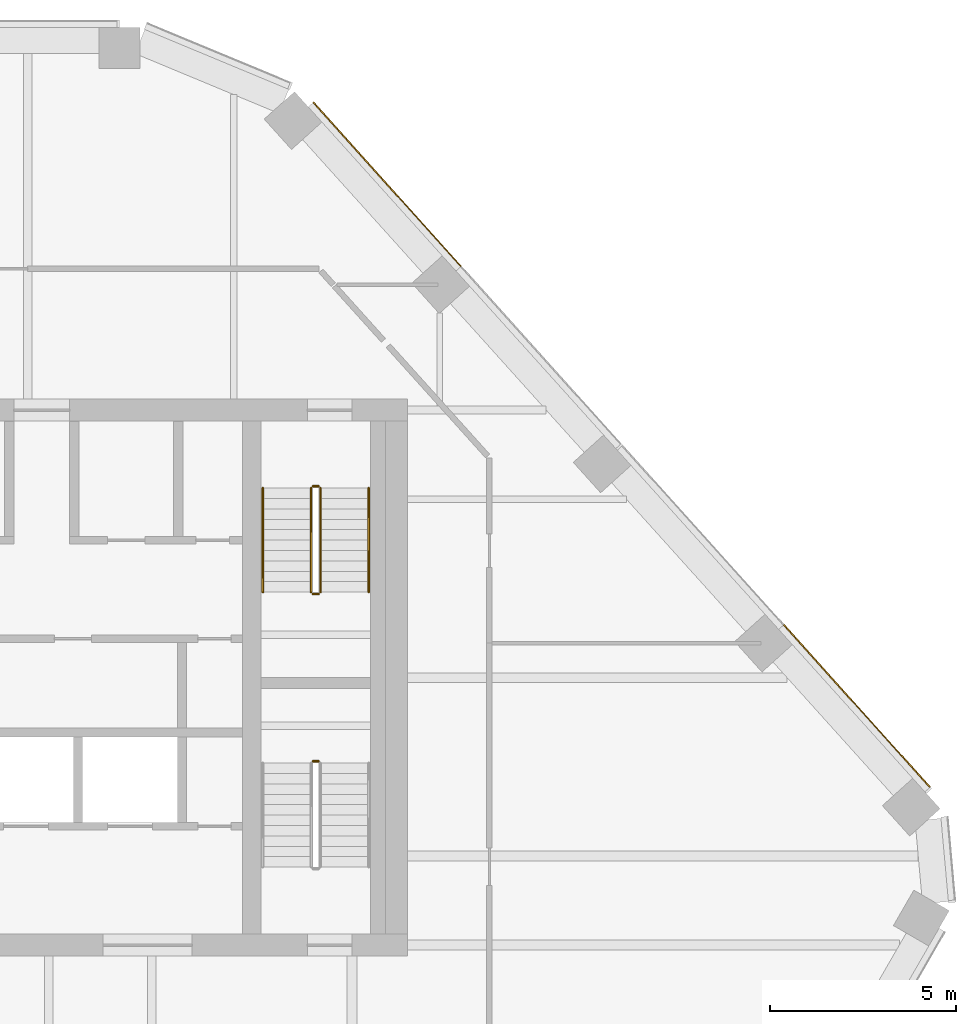
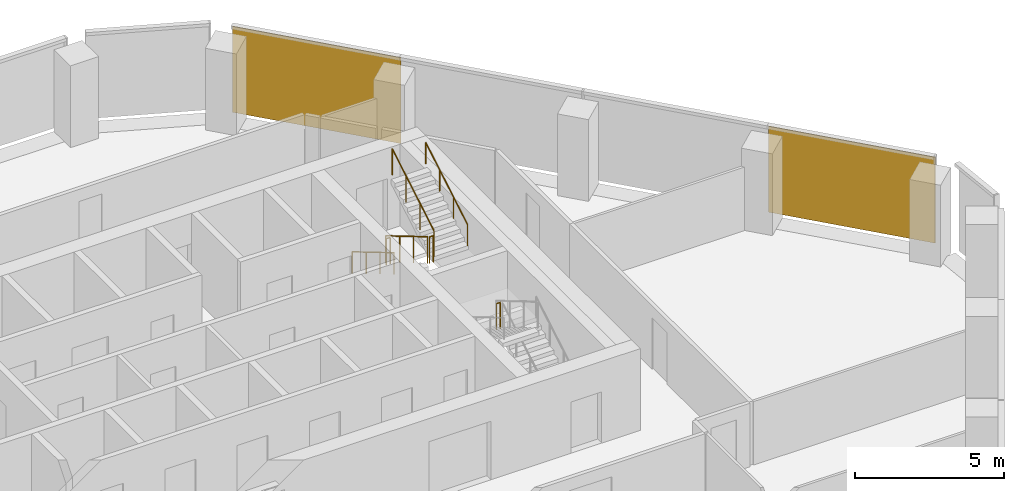
# One storey, part 16 of 16: 7 railings, 2 coverings, 1 element without a shape of its own.
"""IFC4 building model written with IfcOpenShell, lengths in metres."""

from ifc_helpers import new_model, si_unit, direction, frame, origin, origin_2d, place, context, subcontext, project, spatial, rectangle, circle, extrude, material, layer, layer_set, type_object, element, aggregate, save


model = new_model("IFC4")

# Units and contexts
model_context = context("Model", 3, precision=1e-05, world=origin(), true_north=direction((0.0, 1.0)))
body_context = subcontext(model_context, "Body", "Model", "MODEL_VIEW")
ifc_project = project(units=[si_unit("LENGTHUNIT", "METRE"), si_unit("AREAUNIT", "SQUARE_METRE"), si_unit("VOLUMEUNIT", "CUBIC_METRE"), si_unit("PLANEANGLEUNIT", "RADIAN"), si_unit("MASSUNIT", "GRAM", prefix="KILO")], contexts=[model_context])

# Site, building, storey
site_placement = place(None, origin())
site = spatial("IfcSite", under=ifc_project, at=site_placement, CompositionType="ELEMENT")
building_placement = place(site_placement, origin())
building = spatial("IfcBuilding", under=site, at=building_placement, Name="Isthmus Gate Tower", CompositionType="ELEMENT")
storey_placement = place(building_placement, frame((0.0, 0.0, 252.800048828125)))
storey = spatial("IfcBuildingStorey", under=building, at=storey_placement, Name="L64", CompositionType="ELEMENT", Elevation=252.800048828125)

# Curtain wall, coverings
ifc_material_1 = material(Name="Aluminium, pale champagne anodised", Category="aluminium")
ifc_layer_1 = layer(ifc_material_1, 0.199951171875)
ifc_layer_set_1 = layer_set([ifc_layer_1], Name="CW-1 UNITISED CURTAIN WALL 200 DEEP")
curtain_wall_type = type_object("IfcCurtainWallType", Name="CW-1 UNITISED CURTAIN WALL 200 DEEP", PredefinedType="NOTDEFINED", material=ifc_layer_set_1)
curtain_wall_placement = place(storey_placement, origin())
curtain_wall = element("IfcCurtainWall", 1, at=curtain_wall_placement, inside=storey, type_object=curtain_wall_type, Name="CW-1 NE L64", PredefinedType="NOTDEFINED")
ifc_material_2 = material(Name="Aluminium composite panel, pale champagne anodised", Category="aluminium")
ifc_layer_2 = layer(ifc_material_2, 0.031982421875)
ifc_layer_set_2 = layer_set([ifc_layer_2], Name="CW-1 PALE METAL PANEL 32")
covering_type = type_object("IfcCoveringType", Name="CW-1 PALE METAL PANEL 32", PredefinedType="CLADDING", material=ifc_layer_set_2)
covering_1_placement = place(storey_placement, frame((27.0908203125, 6.733154296875, 0.0), z_axis=(0.0, 0.0, 1.0), x_axis=(-0.669130606359, 0.743144825477, 0.0)))
covering_1 = element("IfcCovering", 2, at=covering_1_placement, type_object=covering_type, Name="CW-1 pale metal panel", PredefinedType="CLADDING", context=body_context, shape_type="SweptSolid", body=[
    extrude(rectangle(XDim=5.8818359375, YDim=0.031982421875, at=origin_2d()), origin(), (0.0, 0.0, 1.0), 3.52001953125),
])
covering_2_placement = place(storey_placement, frame((14.447021484375, 20.775390625, 0.0), z_axis=(0.0, 0.0, 1.0), x_axis=(-0.669130606359, 0.743144825477, 0.0)))
covering_2 = element("IfcCovering", 3, at=covering_2_placement, type_object=covering_type, Name="CW-1 pale metal panel", PredefinedType="CLADDING", context=body_context, shape_type="SweptSolid", body=[
    extrude(rectangle(XDim=5.94189453125, YDim=0.031982421875, at=origin_2d()), origin(), (0.0, 0.0, 1.0), 3.52001953125),
])
aggregate(curtain_wall, [covering_1, covering_2])

# Railings
ifc_material_3 = material(Name="Stainless steel balustrade", Category="steel")
railing_type_1 = type_object("IfcRailingType", Name="STAIR GUARD 1100", PredefinedType="GUARDRAIL", material=ifc_material_3)
railing_1_placement = place(storey_placement, frame((12.39990234375, 12.60009765625, 0.165771484375)))
element("IfcRailing", 4, at=railing_1_placement, inside=storey, type_object=railing_type_1, Name="L64 ST2 stair guard 1", PredefinedType="GUARDRAIL", context=body_context, shape_type="SweptSolid", body=[
    extrude(circle(Radius=0.02392578125, at=origin_2d()), frame((0.0, 0.0, 1.076171875), z_axis=(0.0, -0.860306154799, 0.50977771628), x_axis=(1.0, 0.0, 0.0)), (0.0, 0.0, 1.0), 3.254638671875),
    extrude(circle(Radius=0.02099609375, at=origin_2d()), origin(), (0.0, 0.0, 1.0), 1.052001953125),
    extrude(circle(Radius=0.02099609375, at=origin_2d()), frame((0.0, -0.933349609375, 0.552978515625)), (0.0, 0.0, 1.0), 1.052001953125),
    extrude(circle(Radius=0.02099609375, at=origin_2d()), frame((0.0, -1.86669921875, 1.106201171875)), (0.0, 0.0, 1.0), 1.052001953125),
    extrude(circle(Radius=0.02099609375, at=origin_2d()), frame((0.0, -2.800048828125, 1.6591796875)), (0.0, 0.0, 1.0), 1.052001953125),
])
railing_2_placement = place(storey_placement, frame((12.449951171875, 9.75, 1.824951171875)))
element("IfcRailing", 5, at=railing_2_placement, inside=storey, type_object=railing_type_1, Name="L64 ST2 stair guard 2", PredefinedType="GUARDRAIL", context=body_context, shape_type="SweptSolid", body=[
    extrude(circle(Radius=0.02392578125, at=origin_2d()), frame((0.0, 0.0, 1.076171875), z_axis=(1.0, 0.0, 0.0), x_axis=(0.0, 1.0, 0.0)), (0.0, 0.0, 1.0), 0.150146484375),
    extrude(circle(Radius=0.02099609375, at=origin_2d()), origin(), (0.0, 0.0, 1.0), 1.052001953125),
    extrude(circle(Radius=0.02099609375, at=origin_2d()), frame((0.150146484375, 0.0, 0.0)), (0.0, 0.0, 1.0), 1.052001953125),
])
railing_3_placement = place(storey_placement, frame((12.64990234375, 9.800048828125, 1.990966796875)))
element("IfcRailing", 6, at=railing_3_placement, inside=storey, type_object=railing_type_1, Name="L64 ST2 stair guard 3", PredefinedType="GUARDRAIL", context=body_context, shape_type="SweptSolid", body=[
    extrude(circle(Radius=0.02392578125, at=origin_2d()), frame((0.0, 0.0, 1.076171875), z_axis=(0.0, 0.860339051648, 0.50972219513), x_axis=(-1.0, 0.0, 0.0)), (0.0, 0.0, 1.0), 3.254638671875),
    extrude(circle(Radius=0.02099609375, at=origin_2d()), origin(), (0.0, 0.0, 1.0), 1.052001953125),
    extrude(circle(Radius=0.02099609375, at=origin_2d()), frame((0.0, 0.933349609375, 0.552978515625)), (0.0, 0.0, 1.0), 1.052001953125),
    extrude(circle(Radius=0.02099609375, at=origin_2d()), frame((0.0, 1.86669921875, 1.10595703125)), (0.0, 0.0, 1.0), 1.052001953125),
    extrude(circle(Radius=0.02099609375, at=origin_2d()), frame((0.0, 2.800048828125, 1.658935546875)), (0.0, 0.0, 1.0), 1.052001953125),
])
railing_4_placement = place(storey_placement, frame((12.449951171875, 12.64990234375, 0.0)))
element("IfcRailing", 7, at=railing_4_placement, inside=storey, type_object=railing_type_1, Name="L64 ST2 stair guard 4", PredefinedType="GUARDRAIL", context=body_context, shape_type="SweptSolid", body=[
    extrude(circle(Radius=0.02392578125, at=origin_2d()), frame((0.0, 0.0, 1.076171875), z_axis=(1.0, 0.0, 0.0), x_axis=(0.0, 1.0, 0.0)), (0.0, 0.0, 1.0), 0.150146484375),
    extrude(circle(Radius=0.02099609375, at=origin_2d()), origin(), (0.0, 0.0, 1.0), 1.052001953125),
    extrude(circle(Radius=0.02099609375, at=origin_2d()), frame((0.150146484375, 0.0, 0.0)), (0.0, 0.0, 1.0), 1.052001953125),
])
railing_5_placement = place(storey_placement, frame((12.60009765625, 5.25, 1.824951171875)))
element("IfcRailing", 8, at=railing_5_placement, inside=storey, type_object=railing_type_1, Name="L64 ST8 stair guard 2", PredefinedType="GUARDRAIL", context=body_context, shape_type="SweptSolid", body=[
    extrude(circle(Radius=0.02392578125, at=origin_2d()), frame((0.0, 0.0, 1.076171875), z_axis=(-1.0, 0.0, 0.0), x_axis=(0.0, -1.0, 0.0)), (0.0, 0.0, 1.0), 0.150146484375),
    extrude(circle(Radius=0.02099609375, at=origin_2d()), origin(), (0.0, 0.0, 1.0), 1.052001953125),
    extrude(circle(Radius=0.02099609375, at=origin_2d()), frame((-0.150146484375, 0.0, 0.0)), (0.0, 0.0, 1.0), 1.052001953125),
])
ifc_material_4 = material(Name="Stainless steel handrail", Category="steel")
railing_type_2 = type_object("IfcRailingType", Name="STAIR HANDRAIL 900", PredefinedType="HANDRAIL", material=ifc_material_4)
railing_6_placement = place(storey_placement, frame((11.10009765625, 12.60009765625, 0.165771484375)))
element("IfcRailing", 9, at=railing_6_placement, inside=storey, type_object=railing_type_2, Name="L64 ST2 stair handrail 1", PredefinedType="HANDRAIL", context=body_context, shape_type="SweptSolid", body=[
    extrude(circle(Radius=0.02392578125, at=origin_2d()), frame((0.0, 0.0, 0.8759765625), z_axis=(0.0, -0.860306154799, 0.50977771628), x_axis=(1.0, 0.0, 0.0)), (0.0, 0.0, 1.0), 3.254638671875),
    extrude(circle(Radius=0.02099609375, at=origin_2d()), origin(), (0.0, 0.0, 1.0), 0.851806640625),
    extrude(circle(Radius=0.02099609375, at=origin_2d()), frame((0.0, -0.933349609375, 0.552978515625)), (0.0, 0.0, 1.0), 0.851806640625),
    extrude(circle(Radius=0.02099609375, at=origin_2d()), frame((0.0, -1.86669921875, 1.106201171875)), (0.0, 0.0, 1.0), 0.851806640625),
    extrude(circle(Radius=0.02099609375, at=origin_2d()), frame((0.0, -2.800048828125, 1.6591796875)), (0.0, 0.0, 1.0), 0.851806640625),
])
railing_7_placement = place(storey_placement, frame((13.949951171875, 9.800048828125, 1.990966796875)))
element("IfcRailing", 10, at=railing_7_placement, inside=storey, type_object=railing_type_2, Name="L64 ST2 stair handrail 2", PredefinedType="HANDRAIL", context=body_context, shape_type="SweptSolid", body=[
    extrude(circle(Radius=0.02392578125, at=origin_2d()), frame((0.0, 0.0, 0.8759765625), z_axis=(0.0, 0.860339051648, 0.50972219513), x_axis=(-1.0, 0.0, 0.0)), (0.0, 0.0, 1.0), 3.254638671875),
    extrude(circle(Radius=0.02099609375, at=origin_2d()), origin(), (0.0, 0.0, 1.0), 0.851806640625),
    extrude(circle(Radius=0.02099609375, at=origin_2d()), frame((0.0, 0.933349609375, 0.552978515625)), (0.0, 0.0, 1.0), 0.851806640625),
    extrude(circle(Radius=0.02099609375, at=origin_2d()), frame((0.0, 1.86669921875, 1.10595703125)), (0.0, 0.0, 1.0), 0.851806640625),
    extrude(circle(Radius=0.02099609375, at=origin_2d()), frame((0.0, 2.800048828125, 1.658935546875)), (0.0, 0.0, 1.0), 0.851806640625),
])

save(model, "model.ifc")
